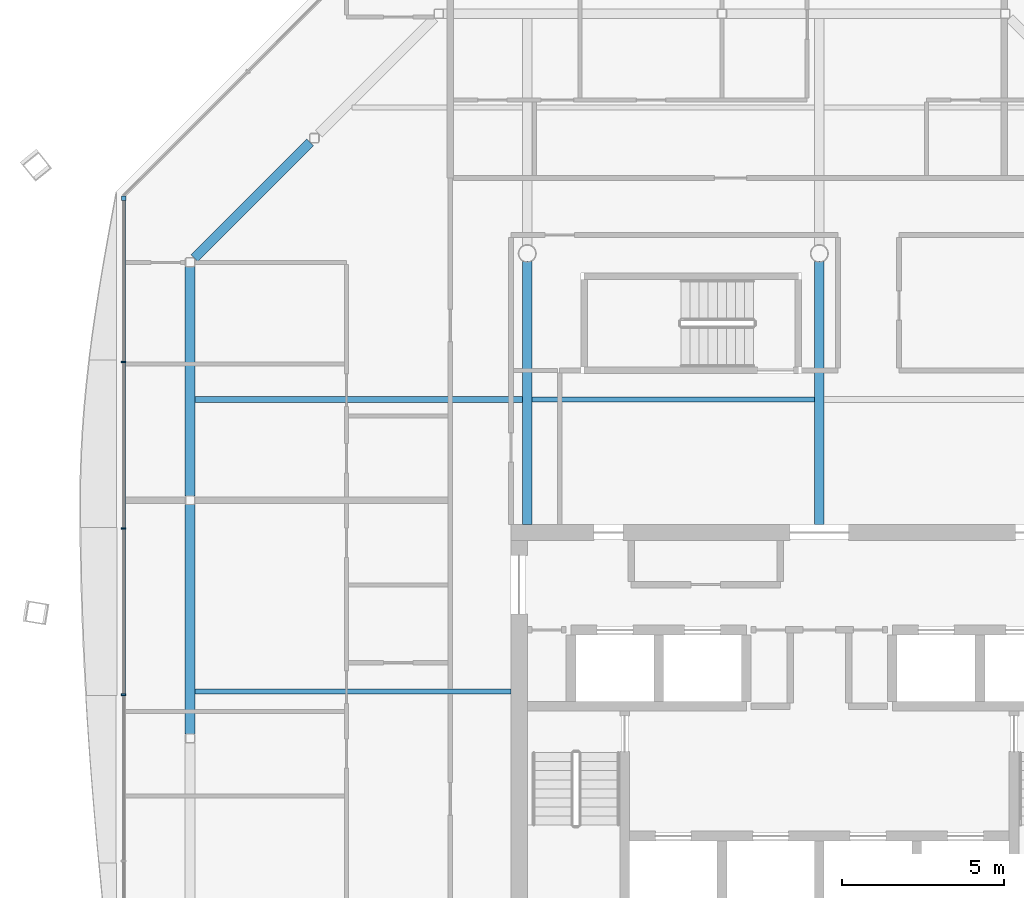
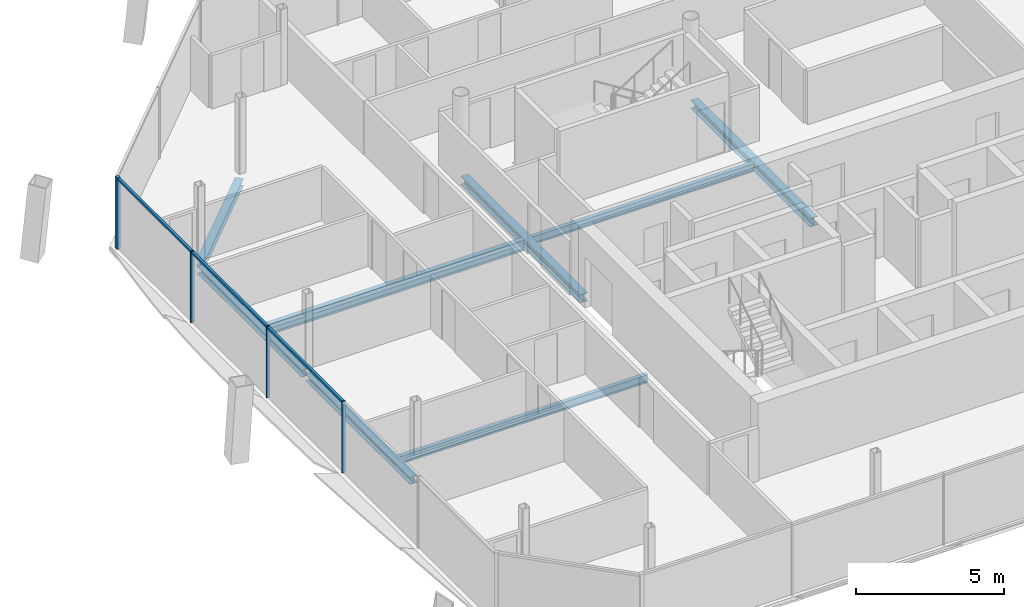
# One storey, part 6 of 17: 8 beams, 7 members, 1 element without a shape of its own.
"""IFC4 building model written with IfcOpenShell, lengths in metres."""

import ifcopenshell
import ifcopenshell.guid

model = None  # the IFC model being written
_history = None  # IfcOwnerHistory: only IFC2X3 demands one
_inside = {}  # id of a spatial element -> (the spatial element, [elements in it])
_under = {}  # id of a project, library or spatial element -> (it, [spatial elements below it])
_declared = {}  # id of a project -> (the project, [libraries it declares])
_typed = {}  # id of a type object -> (the type object, [elements of that type])
_made_of = {}  # id of a material, layer set ... -> (it, [elements and type objects made of it])


def new_model(schema):
    """Start an empty IFC model of exactly this schema.

    Asked for "IFC4X3", IfcOpenShell would pick the latest addendum, in which some entities
    have other attributes; the version numbers below select the first issue.
    IFC2X3 requires an IfcOwnerHistory on every rooted entity: one is made here for all.
    """
    global model, _history
    if schema == "IFC4X3":
        model = ifcopenshell.file(schema_version=(4, 3, 0, 0))
    else:
        model = ifcopenshell.file(schema=schema)
    _inside.clear()
    _under.clear()
    _declared.clear()
    _typed.clear()
    _made_of.clear()
    _history = None
    if model.schema == "IFC2X3":
        org = make("IfcOrganization", Name="unknown")
        user = make(
            "IfcPersonAndOrganization",
            ThePerson=make("IfcPerson", FamilyName="unknown"),
            TheOrganization=org,
        )
        app = make(
            "IfcApplication",
            ApplicationDeveloper=org,
            Version="unknown",
            ApplicationFullName="unknown",
            ApplicationIdentifier="unknown",
        )
        _history = make(
            "IfcOwnerHistory",
            OwningUser=user,
            OwningApplication=app,
            ChangeAction="ADDED",
            CreationDate=0,
        )
    return model


def make(cls, **values):
    """One entity of the class cls with the attributes given. An attribute that is None is left unset."""
    return model.create_entity(
        cls, **{name: value for name, value in values.items() if value is not None}
    )


def rooted(cls, **values):
    """An entity with a GlobalId (a new one), such as an element, a storey or a relation."""
    return make(cls, GlobalId=ifcopenshell.guid.new(), OwnerHistory=_history, **values)


def si_unit(unit_type, name, prefix=None):
    """IfcSIUnit, for example si_unit("LENGTHUNIT", "METRE", prefix="MILLI")."""
    return make("IfcSIUnit", UnitType=unit_type, Prefix=prefix, Name=name)


def assignment(units):
    """IfcUnitAssignment: the units of a project."""
    return None if units is None else make("IfcUnitAssignment", Units=units)


def point(xyz):
    """IfcCartesianPoint."""
    return None if xyz is None else make("IfcCartesianPoint", Coordinates=xyz)


def direction(xyz):
    """IfcDirection."""
    return None if xyz is None else make("IfcDirection", DirectionRatios=xyz)


def frame(location, z_axis=None, x_axis=None):
    """IfcAxis2Placement3D, a coordinate frame: its origin and axes. An axis left out is left unset."""
    return make(
        "IfcAxis2Placement3D",
        Location=point(location),
        Axis=direction(z_axis),
        RefDirection=direction(x_axis),
    )


def frame_2d(location, x_axis=None):
    """IfcAxis2Placement2D, a coordinate frame in the plane: its origin and x axis."""
    return make(
        "IfcAxis2Placement2D", Location=point(location), RefDirection=direction(x_axis)
    )


def origin():
    """The frame at (0, 0, 0) with its axes left unset."""
    return frame((0.0, 0.0, 0.0))


def origin_2d():
    """The frame at (0, 0) in the plane with its x axis left unset."""
    return frame_2d((0.0, 0.0))


def place(relative_to, where):
    """IfcLocalPlacement: puts the frame where relative to a parent placement (None: the world)."""
    return make(
        "IfcLocalPlacement", PlacementRelTo=relative_to, RelativePlacement=where
    )


def context(
    kind, dimensions, precision=None, world=None, true_north=None, identifier=None
):
    """IfcGeometricRepresentationContext, for example the 3D "Model" context."""
    return make(
        "IfcGeometricRepresentationContext",
        ContextIdentifier=identifier,
        ContextType=kind,
        CoordinateSpaceDimension=dimensions,
        Precision=precision,
        WorldCoordinateSystem=world,
        TrueNorth=true_north,
    )


def subcontext(parent, identifier, kind, view, scale=None):
    """IfcGeometricRepresentationSubContext, for example "Body" below "Model"."""
    return make(
        "IfcGeometricRepresentationSubContext",
        ContextIdentifier=identifier,
        ContextType=kind,
        ParentContext=parent,
        TargetScale=scale,
        TargetView=view,
    )


def project(units=None, contexts=None):
    """IfcProject with its units and contexts."""
    return rooted(
        "IfcProject",
        Name="project",
        RepresentationContexts=contexts,
        UnitsInContext=assignment(units),
    )


def spatial(cls, under=None, at=None, **own):
    """A site, building, storey or space (cls), placed at a placement, below another one or the project."""
    s = rooted(cls, ObjectPlacement=at, **own)
    if under is not None:
        _under.setdefault(under.id(), (under, []))[1].append(s)
    return s


def profile(cls, at=None, kind="AREA", **sizes):
    """A parametric profile (cls). Its sizes go by their IFC names, for example OverallWidth=200.0."""
    return make(cls, ProfileType=kind, Position=at, **sizes)


def rectangle(**sizes):
    """IfcRectangleProfileDef."""
    return profile("IfcRectangleProfileDef", **sizes)


def i_section(**sizes):
    """IfcIShapeProfileDef."""
    return profile("IfcIShapeProfileDef", **sizes)


def extrude(swept, where, along, depth):
    """IfcExtrudedAreaSolid: the profile swept, set in the frame where, extruded along a direction by depth."""
    return make(
        "IfcExtrudedAreaSolid",
        SweptArea=swept,
        Position=where,
        ExtrudedDirection=direction(along),
        Depth=depth,
    )


def shape(context_of_items, identifier, shape_type, items):
    """IfcShapeRepresentation: the items that make up one representation, for example the "Body"."""
    return make(
        "IfcShapeRepresentation",
        ContextOfItems=context_of_items,
        RepresentationIdentifier=identifier,
        RepresentationType=shape_type,
        Items=items,
    )


def material(Name=None, Category=None):
    """IfcMaterial."""
    return make("IfcMaterial", Name=Name, Category=Category)


def material_profile(
    of_material, cross_section, Name=None, Category=None, Priority=None
):
    """IfcMaterialProfile: a cross section and its material."""
    return make(
        "IfcMaterialProfile",
        Name=Name,
        Material=of_material,
        Profile=cross_section,
        Priority=Priority,
        Category=Category,
    )


def profile_set(profiles, Name=None, composite=None):
    """IfcMaterialProfileSet."""
    return make(
        "IfcMaterialProfileSet",
        Name=Name,
        MaterialProfiles=profiles,
        CompositeProfile=composite,
    )


def made_of(thing, what):
    """Note that an element or type object is made of a material, layer set ...; save() writes the relation."""
    if what is not None:
        _made_of.setdefault(what.id(), (what, []))[1].append(thing)
    return thing


def type_object(cls, material=None, **own):
    """A type object (cls), such as IfcWallType, which elements share."""
    return made_of(rooted(cls, **own), material)


def element(
    cls,
    number,
    at=None,
    inside=None,
    cuts=None,
    type_object=None,
    material=None,
    context=None,
    identifier="Body",
    shape_type=None,
    held_by="IfcProductDefinitionShape",
    body=None,
    shapes=None,
    **own,
):
    """One element of the class cls, such as IfcWall. Its Tag is "e" and its number.

    at: its placement. inside: the storey or other place that contains it. cuts: it is an
    opening in that element (IfcRelVoidsElement). A single representation is given by context,
    identifier, shape_type and body (its items); several are given by shapes. held_by: the class
    of the entity that holds the representations. save() writes the other relations.
    """
    e = rooted(cls, Tag="e%d" % number, ObjectPlacement=at, **own)
    if body is not None:
        shapes = [shape(context, identifier, shape_type, body)]
    if shapes is not None:
        e.Representation = make(held_by, Representations=shapes)
    if inside is not None:
        _inside.setdefault(inside.id(), (inside, []))[1].append(e)
    if cuts is not None:
        rooted(
            "IfcRelVoidsElement", RelatingBuildingElement=cuts, RelatedOpeningElement=e
        )
    if type_object is not None:
        _typed.setdefault(type_object.id(), (type_object, []))[1].append(e)
    return made_of(e, material)


def aggregate(whole, parts):
    """IfcRelAggregates: a whole, such as a stair, and the parts it consists of."""
    return rooted("IfcRelAggregates", RelatingObject=whole, RelatedObjects=parts)


def save(model, path):
    """Write the relations noted so far, then the file.

    IfcRelAggregates (storeys below a building ...), IfcRelContainedInSpatialStructure (elements
    in a storey), IfcRelDefinesByType, IfcRelAssociatesMaterial and IfcRelDeclares: one each for
    every whole, place, type object, material and project.
    """
    for whole, parts in _under.values():
        aggregate(whole, parts)
    for where, things in _inside.values():
        rooted(
            "IfcRelContainedInSpatialStructure",
            RelatedElements=things,
            RelatingStructure=where,
        )
    for kind, things in _typed.values():
        rooted("IfcRelDefinesByType", RelatedObjects=things, RelatingType=kind)
    for what, things in _made_of.values():
        rooted("IfcRelAssociatesMaterial", RelatedObjects=things, RelatingMaterial=what)
    for by, libraries in _declared.values():
        rooted("IfcRelDeclares", RelatingContext=by, RelatedDefinitions=libraries)
    model.write(path)


model = new_model("IFC4")

# Units and contexts
model_context = context("Model", 3, precision=1e-05, world=origin(), true_north=direction((0.0, 1.0)))
body_context = subcontext(model_context, "Body", "Model", "MODEL_VIEW")
ifc_project = project(units=[si_unit("LENGTHUNIT", "METRE"), si_unit("AREAUNIT", "SQUARE_METRE"), si_unit("VOLUMEUNIT", "CUBIC_METRE"), si_unit("PLANEANGLEUNIT", "RADIAN"), si_unit("MASSUNIT", "GRAM", prefix="KILO")], contexts=[model_context])

# Site, building, storey
site_placement = place(None, origin())
site = spatial("IfcSite", under=ifc_project, at=site_placement, CompositionType="ELEMENT")
building_placement = place(site_placement, origin())
building = spatial("IfcBuilding", under=site, at=building_placement, Name="Tskaro Facet Tower", CompositionType="ELEMENT")
storey_placement = place(building_placement, frame((0.0, 0.0, 232.949951171875)))
storey = spatial("IfcBuildingStorey", under=building, at=storey_placement, Name="L60", CompositionType="ELEMENT", Elevation=232.949951171875)

# Curtain wall, members
ifc_material_1 = material(Name="Bronze anodised aluminium 6063-T6", Category="aluminium")
curtain_wall_type = type_object("IfcCurtainWallType", Name="Bronze residence curtain wall (FW3)", PredefinedType="NOTDEFINED", material=ifc_material_1)
curtain_wall_placement = place(storey_placement, origin())
curtain_wall = element("IfcCurtainWall", 1, at=curtain_wall_placement, inside=storey, type_object=curtain_wall_type, Name="FW3 west facet L60", PredefinedType="NOTDEFINED")
ifc_material_profile_1 = material_profile(ifc_material_1, rectangle(XDim=0.139892578125, YDim=0.139892578125, at=origin_2d()), Name="Corner post 140x140")
ifc_profile_set_1 = profile_set([ifc_material_profile_1], Name="Bronze anodised aluminium 6063-T6")
member_type_1 = type_object("IfcMemberType", Name="FW3 bronze corner post 140x140", PredefinedType="MULLION", material=ifc_profile_set_1)
member_1_placement = place(storey_placement, frame((-21.43701171875, 10.708984375, 0.0), z_axis=(0.0, 0.0, 1.0), x_axis=(0.0, -1.0, 0.0)))
member_1 = element("IfcMember", 2, at=member_1_placement, type_object=member_type_1, Name="FW3 west corner post", PredefinedType="MULLION", context=body_context, shape_type="SweptSolid", body=[
    extrude(rectangle(XDim=0.139892578125, YDim=0.139892578125, at=origin_2d()), origin(), (0.0, 0.0, 1.0), 2.949951171875),
])
ifc_material_profile_2 = material_profile(ifc_material_1, rectangle(XDim=0.050048828125, YDim=0.139892578125, at=origin_2d()), Name="Mullion 50x140")
ifc_profile_set_2 = profile_set([ifc_material_profile_2], Name="Bronze anodised aluminium 6063-T6")
member_type_2 = type_object("IfcMemberType", Name="FW3 bronze mullion 50x140", PredefinedType="MULLION", material=ifc_profile_set_2)
member_2_placement = place(storey_placement, frame((-21.43701171875, 5.654296875, 0.0), z_axis=(0.0, 0.0, 1.0), x_axis=(0.0, -1.0, 0.0)))
member_2 = element("IfcMember", 3, at=member_2_placement, type_object=member_type_2, Name="FW3 west mullion 1", PredefinedType="MULLION", context=body_context, shape_type="SweptSolid", body=[
    extrude(rectangle(XDim=0.050048828125, YDim=0.139892578125, at=origin_2d()), origin(), (0.0, 0.0, 1.0), 2.949951171875),
])
member_3_placement = place(storey_placement, frame((-21.43701171875, 0.52978515625, 0.0), z_axis=(0.0, 0.0, 1.0), x_axis=(0.0, -1.0, 0.0)))
member_3 = element("IfcMember", 4, at=member_3_placement, type_object=member_type_2, Name="FW3 west mullion 2", PredefinedType="MULLION", context=body_context, shape_type="SweptSolid", body=[
    extrude(rectangle(XDim=0.050048828125, YDim=0.139892578125, at=origin_2d()), origin(), (0.0, 0.0, 1.0), 2.949951171875),
])
member_4_placement = place(storey_placement, frame((-21.43701171875, -4.5947265625, 0.0), z_axis=(0.0, 0.0, 1.0), x_axis=(0.0, -1.0, 0.0)))
member_4 = element("IfcMember", 5, at=member_4_placement, type_object=member_type_2, Name="FW3 west mullion 3", PredefinedType="MULLION", context=body_context, shape_type="SweptSolid", body=[
    extrude(rectangle(XDim=0.050048828125, YDim=0.139892578125, at=origin_2d()), origin(), (0.0, 0.0, 1.0), 2.949951171875),
])
ifc_material_profile_3 = material_profile(ifc_material_1, rectangle(XDim=0.10009765625, YDim=0.090087890625, at=origin_2d()), Name="Transom 100x90")
ifc_profile_set_3 = profile_set([ifc_material_profile_3], Name="Bronze anodised aluminium 6063-T6")
member_type_3 = type_object("IfcMemberType", Name="FW3 bronze transom 100x90", PredefinedType="USERDEFINED", material=ifc_profile_set_3)
member_5_placement = place(storey_placement, frame((-21.43701171875, 10.638916015625, 2.905029296875), z_axis=(0.0, -1.0, 0.0), x_axis=(1.0, 0.0, 0.0)))
member_5 = element("IfcMember", 6, at=member_5_placement, type_object=member_type_3, Name="FW3 west transom 1.1", ObjectType="TRANSOM", PredefinedType="USERDEFINED", context=body_context, shape_type="SweptSolid", body=[
    extrude(rectangle(XDim=0.10009765625, YDim=0.090087890625, at=origin_2d()), origin(), (0.0, 0.0, 1.0), 4.95947265625),
])
member_6_placement = place(storey_placement, frame((-21.43701171875, 5.62939453125, 2.905029296875), z_axis=(0.0, -1.0, 0.0), x_axis=(1.0, 0.0, 0.0)))
member_6 = element("IfcMember", 7, at=member_6_placement, type_object=member_type_3, Name="FW3 west transom 2.1", ObjectType="TRANSOM", PredefinedType="USERDEFINED", context=body_context, shape_type="SweptSolid", body=[
    extrude(rectangle(XDim=0.10009765625, YDim=0.090087890625, at=origin_2d()), origin(), (0.0, 0.0, 1.0), 5.07470703125),
])
member_7_placement = place(storey_placement, frame((-21.43701171875, 0.5048828125, 2.905029296875), z_axis=(0.0, -1.0, 0.0), x_axis=(1.0, 0.0, 0.0)))
member_7 = element("IfcMember", 8, at=member_7_placement, type_object=member_type_3, Name="FW3 west transom 3.1", ObjectType="TRANSOM", PredefinedType="USERDEFINED", context=body_context, shape_type="SweptSolid", body=[
    extrude(rectangle(XDim=0.10009765625, YDim=0.090087890625, at=origin_2d()), origin(), (0.0, 0.0, 1.0), 5.07470703125),
])
aggregate(curtain_wall, [member_1, member_2, member_3, member_4, member_5, member_6, member_7])

# Beams
ifc_material_2 = material(Name="Steel S355J2", Category="steel")
ifc_material_profile_4 = material_profile(ifc_material_2, i_section(OverallWidth=0.300048828125, OverallDepth=0.300048828125, WebThickness=0.010986328125, FlangeThickness=0.01904296875, FilletRadius=0.027099609375, at=origin_2d()), Name="HE 300 B")
ifc_profile_set_4 = profile_set([ifc_material_profile_4], Name="Steel S355J2")
beam_type_1 = type_object("IfcBeamType", Name="HE 300 B ring beam", PredefinedType="BEAM", material=ifc_profile_set_4)
beam_1_placement = place(storey_placement, frame((-15.69384765625, 12.422119140625, -0.2900390625), z_axis=(-0.707106781187, -0.707106781187, 0.0), x_axis=(0.707106781187, -0.707106781187, 0.0)))
element("IfcBeam", 9, at=beam_1_placement, inside=storey, type_object=beam_type_1, Name="HE 300 B EB13-5", PredefinedType="BEAM", context=body_context, shape_type="SweptSolid", body=[
    extrude(i_section(OverallWidth=0.300048828125, OverallDepth=0.300048828125, WebThickness=0.010986328125, FlangeThickness=0.01904296875, FilletRadius=0.027099609375, at=origin_2d()), origin(), (0.0, 0.0, 1.0), 5.036376953125),
])
beam_2_placement = place(storey_placement, frame((-19.39111328125, 8.594970703125, -0.2900390625), z_axis=(0.0, -1.0, 0.0), x_axis=(1.0, 0.0, 0.0)))
element("IfcBeam", 10, at=beam_2_placement, inside=storey, type_object=beam_type_1, Name="HE 300 B EB14-5", PredefinedType="BEAM", context=body_context, shape_type="SweptSolid", body=[
    extrude(i_section(OverallWidth=0.300048828125, OverallDepth=0.300048828125, WebThickness=0.010986328125, FlangeThickness=0.01904296875, FilletRadius=0.027099609375, at=origin_2d()), origin(), (0.0, 0.0, 1.0), 7.071044921875),
])
beam_3_placement = place(storey_placement, frame((-19.39111328125, 1.263916015625, -0.2900390625), z_axis=(0.0, -1.0, 0.0), x_axis=(1.0, 0.0, 0.0)))
element("IfcBeam", 11, at=beam_3_placement, inside=storey, type_object=beam_type_1, Name="HE 300 B EB15-5", PredefinedType="BEAM", context=body_context, shape_type="SweptSolid", body=[
    extrude(i_section(OverallWidth=0.300048828125, OverallDepth=0.300048828125, WebThickness=0.010986328125, FlangeThickness=0.01904296875, FilletRadius=0.027099609375, at=origin_2d()), origin(), (0.0, 0.0, 1.0), 7.07080078125),
])
ifc_material_profile_5 = material_profile(ifc_material_2, i_section(OverallWidth=0.300048828125, OverallDepth=0.35009765625, WebThickness=0.010009765625, FlangeThickness=0.017578125, FilletRadius=0.027099609375, at=origin_2d()), Name="HE 360 A")
ifc_profile_set_5 = profile_set([ifc_material_profile_5], Name="Steel S355J2")
beam_type_2 = type_object("IfcBeamType", Name="HE 360 A girder", PredefinedType="BEAM", material=ifc_profile_set_5)
for number, where, z_axis, x_axis, name in (
    (12, (-9.0, 0.64990234375, -0.31494140625), (0.0, 1.0, 0.0), (-1.0, 0.0, 0.0), "HE 360 A GB3-2-5"),
    (13, (0.0, 0.64990234375, -0.31494140625), (0.0, 1.0, 0.0), (-1.0, 0.0, 0.0), "HE 360 A GB4-2-5"),
):
    element("IfcBeam", number, at=place(storey_placement, frame(where, z_axis=z_axis, x_axis=x_axis)), inside=storey, type_object=beam_type_2, Name=name, PredefinedType="BEAM", context=body_context, shape_type="SweptSolid", body=[
        extrude(i_section(OverallWidth=0.300048828125, OverallDepth=0.35009765625, WebThickness=0.010009765625, FlangeThickness=0.017578125, FilletRadius=0.027099609375, at=origin_2d()), origin(), (0.0, 0.0, 1.0), 8.1005859375),
    ])
ifc_material_profile_6 = material_profile(ifc_material_2, i_section(OverallWidth=0.159912109375, OverallDepth=0.330078125, WebThickness=0.007568359375, FlangeThickness=0.011474609375, FilletRadius=0.01806640625, at=origin_2d()), Name="IPE 330")
ifc_profile_set_6 = profile_set([ifc_material_profile_6], Name="Steel S355J2")
beam_type_3 = type_object("IfcBeamType", Name="IPE 330 secondary beam", PredefinedType="BEAM", material=ifc_profile_set_6)
beam_4_placement = place(storey_placement, frame((-19.240966796875, -4.5, -0.304931640625), z_axis=(1.0, 0.0, 0.0), x_axis=(0.0, 1.0, 0.0)))
element("IfcBeam", 14, at=beam_4_placement, inside=storey, type_object=beam_type_3, Name="IPE 330 SB3a-1-5", PredefinedType="BEAM", context=body_context, shape_type="SweptSolid", body=[
    extrude(i_section(OverallWidth=0.159912109375, OverallDepth=0.330078125, WebThickness=0.007568359375, FlangeThickness=0.011474609375, FilletRadius=0.01806640625, at=origin_2d()), origin(), (0.0, 0.0, 1.0), 9.740966796875),
])
beam_5_placement = place(storey_placement, frame((-8.85009765625, 4.5, -0.304931640625), z_axis=(1.0, 0.0, 0.0), x_axis=(0.0, 1.0, 0.0)))
element("IfcBeam", 15, at=beam_5_placement, inside=storey, type_object=beam_type_3, Name="IPE 330 SB4a-2-5", PredefinedType="BEAM", context=body_context, shape_type="SweptSolid", body=[
    extrude(i_section(OverallWidth=0.159912109375, OverallDepth=0.330078125, WebThickness=0.007568359375, FlangeThickness=0.011474609375, FilletRadius=0.01806640625, at=origin_2d()), origin(), (0.0, 0.0, 1.0), 8.7001953125),
])
ifc_material_profile_7 = material_profile(ifc_material_2, i_section(OverallWidth=0.18994140625, OverallDepth=0.449951171875, WebThickness=0.009521484375, FlangeThickness=0.0146484375, FilletRadius=0.02099609375, at=origin_2d()), Name="IPE 450")
ifc_profile_set_7 = profile_set([ifc_material_profile_7], Name="Steel S355J2")
beam_type_4 = type_object("IfcBeamType", Name="IPE 450 long secondary beam", PredefinedType="BEAM", material=ifc_profile_set_7)
beam_6_placement = place(storey_placement, frame((-19.240966796875, 4.5, -0.364990234375), z_axis=(1.0, 0.0, 0.0), x_axis=(0.0, 1.0, 0.0)))
element("IfcBeam", 16, at=beam_6_placement, inside=storey, type_object=beam_type_4, Name="IPE 450 LSB4a-1-5", PredefinedType="BEAM", context=body_context, shape_type="SweptSolid", body=[
    extrude(i_section(OverallWidth=0.18994140625, OverallDepth=0.449951171875, WebThickness=0.009521484375, FlangeThickness=0.0146484375, FilletRadius=0.02099609375, at=origin_2d()), origin(), (0.0, 0.0, 1.0), 10.091064453125),
])

save(model, "model.ifc")
